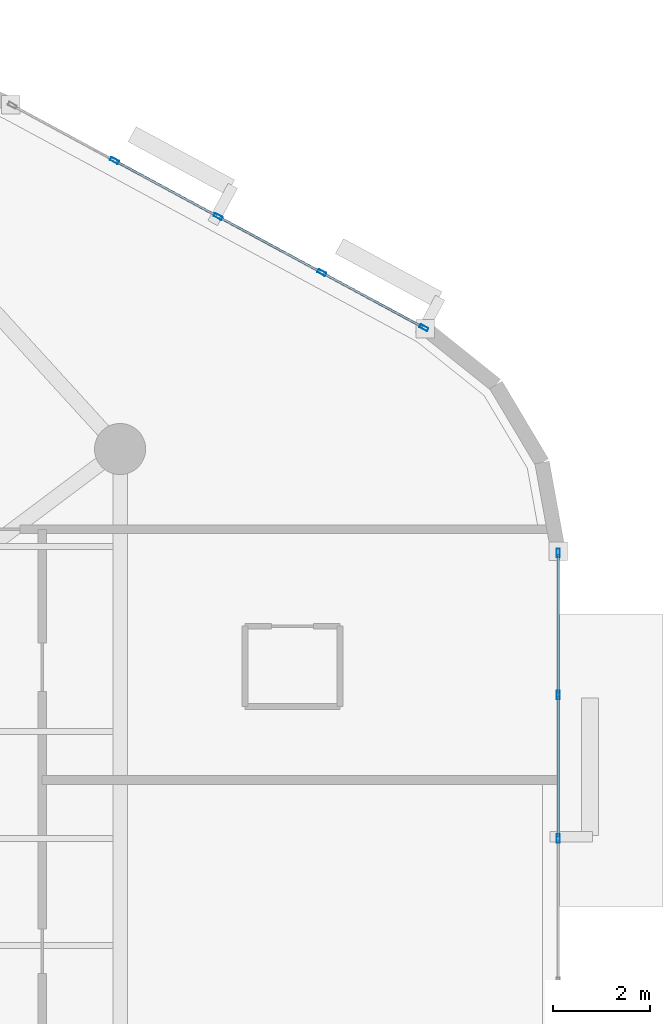
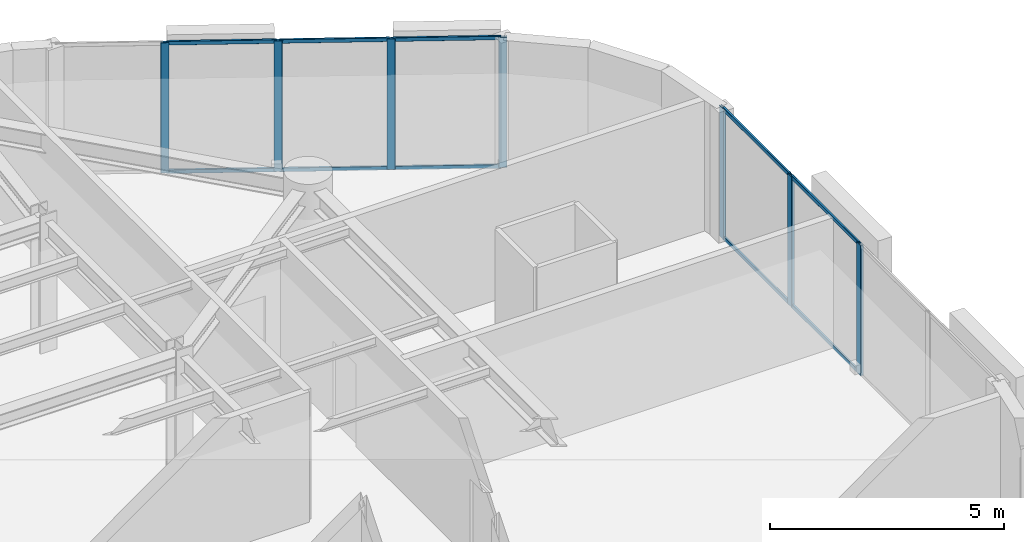
# One storey, part 6 of 13: 17 members, 2 elements without a shape of their own.
"""IFC4 building model written with IfcOpenShell, lengths in metres."""

from ifc_helpers import new_model, si_unit, direction, frame, origin, origin_2d, place, context, subcontext, project, spatial, hollow_rectangle, extrude, material, layer, layer_set, material_profile, profile_set, type_object, element, aggregate, save


model = new_model("IFC4")

# Units and contexts
model_context = context("Model", 3, precision=1e-05, world=origin(), true_north=direction((0.0, 1.0)))
body_context = subcontext(model_context, "Body", "Model", "MODEL_VIEW")
ifc_project = project(units=[si_unit("LENGTHUNIT", "METRE"), si_unit("AREAUNIT", "SQUARE_METRE"), si_unit("VOLUMEUNIT", "CUBIC_METRE"), si_unit("PLANEANGLEUNIT", "RADIAN"), si_unit("MASSUNIT", "GRAM", prefix="KILO")], contexts=[model_context])

# Site, building, storey
site_placement = place(None, origin())
site = spatial("IfcSite", under=ifc_project, at=site_placement, CompositionType="ELEMENT")
building_placement = place(site_placement, origin())
building = spatial("IfcBuilding", under=site, at=building_placement, Name="An Khanh Terracotta Commons", CompositionType="ELEMENT")
storey_placement = place(building_placement, frame((0.0, 0.0, 233.699951171875)))
storey = spatial("IfcBuildingStorey", under=building, at=storey_placement, Name="L61", CompositionType="ELEMENT", Elevation=233.699951171875)

# Curtain wall, members
ifc_material = material(Name="Anodised Aluminium 6063-T6", Category="aluminium")
ifc_layer = layer(ifc_material, 0.2099609375, Name="Anodised Aluminium 6063-T6")
ifc_layer_set = layer_set([ifc_layer], Name="Anodised Aluminium 6063-T6")
curtain_wall_type = type_object("IfcCurtainWallType", Name="CW-SYS-03", PredefinedType="USERDEFINED", material=ifc_layer_set)
curtain_wall_1_placement = place(storey_placement, origin())
curtain_wall_1 = element("IfcCurtainWall", 1, at=curtain_wall_1_placement, inside=storey, type_object=curtain_wall_type, Name="L61 CW-03 Unitised Curtain Wall CW-L61-12", ObjectType="UNITISED CURTAIN WALL", PredefinedType="USERDEFINED")
ifc_material_profile_1 = material_profile(ifc_material, hollow_rectangle(XDim=0.070068359375, YDim=0.179931640625, WallThickness=0.00390625, InnerFilletRadius=0.00390625, OuterFilletRadius=0.008056640625, at=origin_2d()), Name="RHS180x70x4")
ifc_profile_set_1 = profile_set([ifc_material_profile_1], Name="Anodised Aluminium 6063-T6")
member_type_1 = type_object("IfcMemberType", Name="CWM-RHS180x70x4", PredefinedType="MULLION", material=ifc_profile_set_1)
member_1_placement = place(storey_placement, frame((68.60009765625, 24.0, 0.0), z_axis=(0.0, 0.0, 1.0), x_axis=(-1.0, 0.0, 0.0)))
member_1 = element("IfcMember", 2, at=member_1_placement, type_object=member_type_1, Name="CW-03 mullion 3", PredefinedType="MULLION", context=body_context, shape_type="SweptSolid", body=[
    extrude(hollow_rectangle(XDim=0.070068359375, YDim=0.179931640625, WallThickness=0.00390625, InnerFilletRadius=0.00390625, OuterFilletRadius=0.008056640625, at=origin_2d()), origin(), (0.0, 0.0, 1.0), 3.400146484375),
])
member_2_placement = place(storey_placement, frame((68.60009765625, 26.949462890625, 0.0), z_axis=(0.0, 0.0, 1.0), x_axis=(-1.0, 0.0, 0.0)))
member_2 = element("IfcMember", 3, at=member_2_placement, type_object=member_type_1, Name="CW-03 mullion 4", PredefinedType="MULLION", context=body_context, shape_type="SweptSolid", body=[
    extrude(hollow_rectangle(XDim=0.070068359375, YDim=0.179931640625, WallThickness=0.00390625, InnerFilletRadius=0.00390625, OuterFilletRadius=0.008056640625, at=origin_2d()), origin(), (0.0, 0.0, 1.0), 3.400146484375),
])
member_3_placement = place(storey_placement, frame((68.60009765625, 29.864013671875, 0.0), z_axis=(0.0, 0.0, 1.0), x_axis=(-1.0, 0.0, 0.0)))
member_3 = element("IfcMember", 4, at=member_3_placement, type_object=member_type_1, Name="CW-03 mullion 5", PredefinedType="MULLION", context=body_context, shape_type="SweptSolid", body=[
    extrude(hollow_rectangle(XDim=0.070068359375, YDim=0.179931640625, WallThickness=0.00390625, InnerFilletRadius=0.00390625, OuterFilletRadius=0.008056640625, at=origin_2d()), origin(), (0.0, 0.0, 1.0), 3.400146484375),
])

curtain_wall_2_placement = place(storey_placement, origin())
curtain_wall_2 = element("IfcCurtainWall", 5, at=curtain_wall_2_placement, inside=storey, type_object=curtain_wall_type, Name="L61 CW-03 Unitised Curtain Wall CW-L61-16", ObjectType="UNITISED CURTAIN WALL", PredefinedType="USERDEFINED")
member_4_placement = place(storey_placement, frame((65.84130859375, 34.49072265625, 0.0), z_axis=(0.0, 0.0, 1.0), x_axis=(-0.47538088298, -0.879780095306, 0.0)))
member_4 = element("IfcMember", 6, at=member_4_placement, type_object=member_type_1, Name="CW-03 mullion 1", PredefinedType="MULLION", context=body_context, shape_type="SweptSolid", body=[
    extrude(hollow_rectangle(XDim=0.070068359375, YDim=0.179931640625, WallThickness=0.00390625, InnerFilletRadius=0.00390625, OuterFilletRadius=0.008056640625, at=origin_2d()), origin(), (0.0, 0.0, 1.0), 3.400146484375),
])
member_5_placement = place(storey_placement, frame((63.7431640625, 35.624267578125, 0.0), z_axis=(0.0, 0.0, 1.0), x_axis=(-0.47538088298, -0.879780095306, 0.0)))
member_5 = element("IfcMember", 7, at=member_5_placement, type_object=member_type_1, Name="CW-03 mullion 2", PredefinedType="MULLION", context=body_context, shape_type="SweptSolid", body=[
    extrude(hollow_rectangle(XDim=0.070068359375, YDim=0.179931640625, WallThickness=0.00390625, InnerFilletRadius=0.00390625, OuterFilletRadius=0.008056640625, at=origin_2d()), origin(), (0.0, 0.0, 1.0), 3.400146484375),
])
member_6_placement = place(storey_placement, frame((61.614501953125, 36.7744140625, 0.0), z_axis=(0.0, 0.0, 1.0), x_axis=(-0.47538088298, -0.879780095306, 0.0)))
member_6 = element("IfcMember", 8, at=member_6_placement, type_object=member_type_1, Name="CW-03 mullion 3", PredefinedType="MULLION", context=body_context, shape_type="SweptSolid", body=[
    extrude(hollow_rectangle(XDim=0.070068359375, YDim=0.179931640625, WallThickness=0.00390625, InnerFilletRadius=0.00390625, OuterFilletRadius=0.008056640625, at=origin_2d()), origin(), (0.0, 0.0, 1.0), 3.400146484375),
])
member_7_placement = place(storey_placement, frame((59.48583984375, 37.9248046875, 0.0), z_axis=(0.0, 0.0, 1.0), x_axis=(-0.47538088298, -0.879780095306, 0.0)))
member_7 = element("IfcMember", 9, at=member_7_placement, type_object=member_type_1, Name="CW-03 mullion 4", PredefinedType="MULLION", context=body_context, shape_type="SweptSolid", body=[
    extrude(hollow_rectangle(XDim=0.070068359375, YDim=0.179931640625, WallThickness=0.00390625, InnerFilletRadius=0.00390625, OuterFilletRadius=0.008056640625, at=origin_2d()), origin(), (0.0, 0.0, 1.0), 3.400146484375),
])

# Member
ifc_material_profile_2 = material_profile(ifc_material, hollow_rectangle(XDim=0.050048828125, YDim=0.10009765625, WallThickness=0.003173828125, InnerFilletRadius=0.003173828125, OuterFilletRadius=0.00634765625, at=origin_2d()), Name="RHS100x50x3.2")
ifc_profile_set_2 = profile_set([ifc_material_profile_2], Name="Anodised Aluminium 6063-T6")
member_type_2 = type_object("IfcMemberType", Name="CWT-RHS100x50x3.2", PredefinedType="USERDEFINED", material=ifc_profile_set_2)
member_8_placement = place(storey_placement, frame((68.60009765625, 24.034912109375, 0.025146484375), z_axis=(0.0, 1.0, 0.0), x_axis=(-1.0, 0.0, 0.0)))
member_8 = element("IfcMember", 10, at=member_8_placement, type_object=member_type_2, Name="CW-03 transom 3.1", ObjectType="TRANSOM", PredefinedType="USERDEFINED", context=body_context, shape_type="SweptSolid", body=[
    extrude(hollow_rectangle(XDim=0.050048828125, YDim=0.10009765625, WallThickness=0.003173828125, InnerFilletRadius=0.003173828125, OuterFilletRadius=0.00634765625, at=origin_2d()), origin(), (0.0, 0.0, 1.0), 2.879638671875),
])

member_9_placement = place(storey_placement, frame((68.60009765625, 24.034912109375, 3.375), z_axis=(0.0, 1.0, 0.0), x_axis=(-1.0, 0.0, 0.0)))
member_9 = element("IfcMember", 11, at=member_9_placement, type_object=member_type_2, Name="CW-03 transom 3.2", ObjectType="TRANSOM", PredefinedType="USERDEFINED", context=body_context, shape_type="SweptSolid", body=[
    extrude(hollow_rectangle(XDim=0.050048828125, YDim=0.10009765625, WallThickness=0.003173828125, InnerFilletRadius=0.003173828125, OuterFilletRadius=0.00634765625, at=origin_2d()), origin(), (0.0, 0.0, 1.0), 2.879638671875),
])

member_10_placement = place(storey_placement, frame((68.60009765625, 26.984619140625, 0.025146484375), z_axis=(0.0, 1.0, 0.0), x_axis=(-1.0, 0.0, 0.0)))
member_10 = element("IfcMember", 12, at=member_10_placement, type_object=member_type_2, Name="CW-03 transom 4.1", ObjectType="TRANSOM", PredefinedType="USERDEFINED", context=body_context, shape_type="SweptSolid", body=[
    extrude(hollow_rectangle(XDim=0.050048828125, YDim=0.10009765625, WallThickness=0.003173828125, InnerFilletRadius=0.003173828125, OuterFilletRadius=0.00634765625, at=origin_2d()), origin(), (0.0, 0.0, 1.0), 2.844482421875),
])

member_11_placement = place(storey_placement, frame((68.60009765625, 26.984619140625, 3.375), z_axis=(0.0, 1.0, 0.0), x_axis=(-1.0, 0.0, 0.0)))
member_11 = element("IfcMember", 13, at=member_11_placement, type_object=member_type_2, Name="CW-03 transom 4.2", ObjectType="TRANSOM", PredefinedType="USERDEFINED", context=body_context, shape_type="SweptSolid", body=[
    extrude(hollow_rectangle(XDim=0.050048828125, YDim=0.10009765625, WallThickness=0.003173828125, InnerFilletRadius=0.003173828125, OuterFilletRadius=0.00634765625, at=origin_2d()), origin(), (0.0, 0.0, 1.0), 2.844482421875),
])

aggregate(curtain_wall_1, [member_1, member_2, member_3, member_8, member_9, member_10, member_11])

member_12_placement = place(storey_placement, frame((65.810302734375, 34.50732421875, 0.025146484375), z_axis=(-0.879779245677, 0.475382455373, 0.0), x_axis=(-0.475382455373, -0.879779245677, 0.0)))
member_12 = element("IfcMember", 14, at=member_12_placement, type_object=member_type_2, Name="CW-03 transom 1.1", ObjectType="TRANSOM", PredefinedType="USERDEFINED", context=body_context, shape_type="SweptSolid", body=[
    extrude(hollow_rectangle(XDim=0.050048828125, YDim=0.10009765625, WallThickness=0.003173828125, InnerFilletRadius=0.003173828125, OuterFilletRadius=0.00634765625, at=origin_2d()), origin(), (0.0, 0.0, 1.0), 2.314697265625),
])

member_13_placement = place(storey_placement, frame((65.810302734375, 34.50732421875, 3.375), z_axis=(-0.879779245677, 0.475382455373, 0.0), x_axis=(-0.475382455373, -0.879779245677, 0.0)))
member_13 = element("IfcMember", 15, at=member_13_placement, type_object=member_type_2, Name="CW-03 transom 1.2", ObjectType="TRANSOM", PredefinedType="USERDEFINED", context=body_context, shape_type="SweptSolid", body=[
    extrude(hollow_rectangle(XDim=0.050048828125, YDim=0.10009765625, WallThickness=0.003173828125, InnerFilletRadius=0.003173828125, OuterFilletRadius=0.00634765625, at=origin_2d()), origin(), (0.0, 0.0, 1.0), 2.314697265625),
])

member_14_placement = place(storey_placement, frame((63.71240234375, 35.640869140625, 0.025146484375), z_axis=(-0.879782861449, 0.475375763686, 0.0), x_axis=(-0.475375763686, -0.879782861449, 0.0)))
member_14 = element("IfcMember", 16, at=member_14_placement, type_object=member_type_2, Name="CW-03 transom 2.1", ObjectType="TRANSOM", PredefinedType="USERDEFINED", context=body_context, shape_type="SweptSolid", body=[
    extrude(hollow_rectangle(XDim=0.050048828125, YDim=0.10009765625, WallThickness=0.003173828125, InnerFilletRadius=0.003173828125, OuterFilletRadius=0.00634765625, at=origin_2d()), origin(), (0.0, 0.0, 1.0), 2.349609375),
])

member_15_placement = place(storey_placement, frame((63.71240234375, 35.640869140625, 3.375), z_axis=(-0.879782861449, 0.475375763686, 0.0), x_axis=(-0.475375763686, -0.879782861449, 0.0)))
member_15 = element("IfcMember", 17, at=member_15_placement, type_object=member_type_2, Name="CW-03 transom 2.2", ObjectType="TRANSOM", PredefinedType="USERDEFINED", context=body_context, shape_type="SweptSolid", body=[
    extrude(hollow_rectangle(XDim=0.050048828125, YDim=0.10009765625, WallThickness=0.003173828125, InnerFilletRadius=0.003173828125, OuterFilletRadius=0.00634765625, at=origin_2d()), origin(), (0.0, 0.0, 1.0), 2.349609375),
])

member_16_placement = place(storey_placement, frame((61.583740234375, 36.791259765625, 0.025146484375), z_axis=(-0.879782861449, 0.475375763686, 0.0), x_axis=(-0.475375763686, -0.879782861449, 0.0)))
member_16 = element("IfcMember", 18, at=member_16_placement, type_object=member_type_2, Name="CW-03 transom 3.1", ObjectType="TRANSOM", PredefinedType="USERDEFINED", context=body_context, shape_type="SweptSolid", body=[
    extrude(hollow_rectangle(XDim=0.050048828125, YDim=0.10009765625, WallThickness=0.003173828125, InnerFilletRadius=0.003173828125, OuterFilletRadius=0.00634765625, at=origin_2d()), origin(), (0.0, 0.0, 1.0), 2.349609375),
])

member_17_placement = place(storey_placement, frame((61.583740234375, 36.791259765625, 3.375), z_axis=(-0.879782861449, 0.475375763686, 0.0), x_axis=(-0.475375763686, -0.879782861449, 0.0)))
member_17 = element("IfcMember", 19, at=member_17_placement, type_object=member_type_2, Name="CW-03 transom 3.2", ObjectType="TRANSOM", PredefinedType="USERDEFINED", context=body_context, shape_type="SweptSolid", body=[
    extrude(hollow_rectangle(XDim=0.050048828125, YDim=0.10009765625, WallThickness=0.003173828125, InnerFilletRadius=0.003173828125, OuterFilletRadius=0.00634765625, at=origin_2d()), origin(), (0.0, 0.0, 1.0), 2.349609375),
])

aggregate(curtain_wall_2, [member_4, member_5, member_6, member_7, member_12, member_13, member_14, member_15, member_16, member_17])

save(model, "model.ifc")
